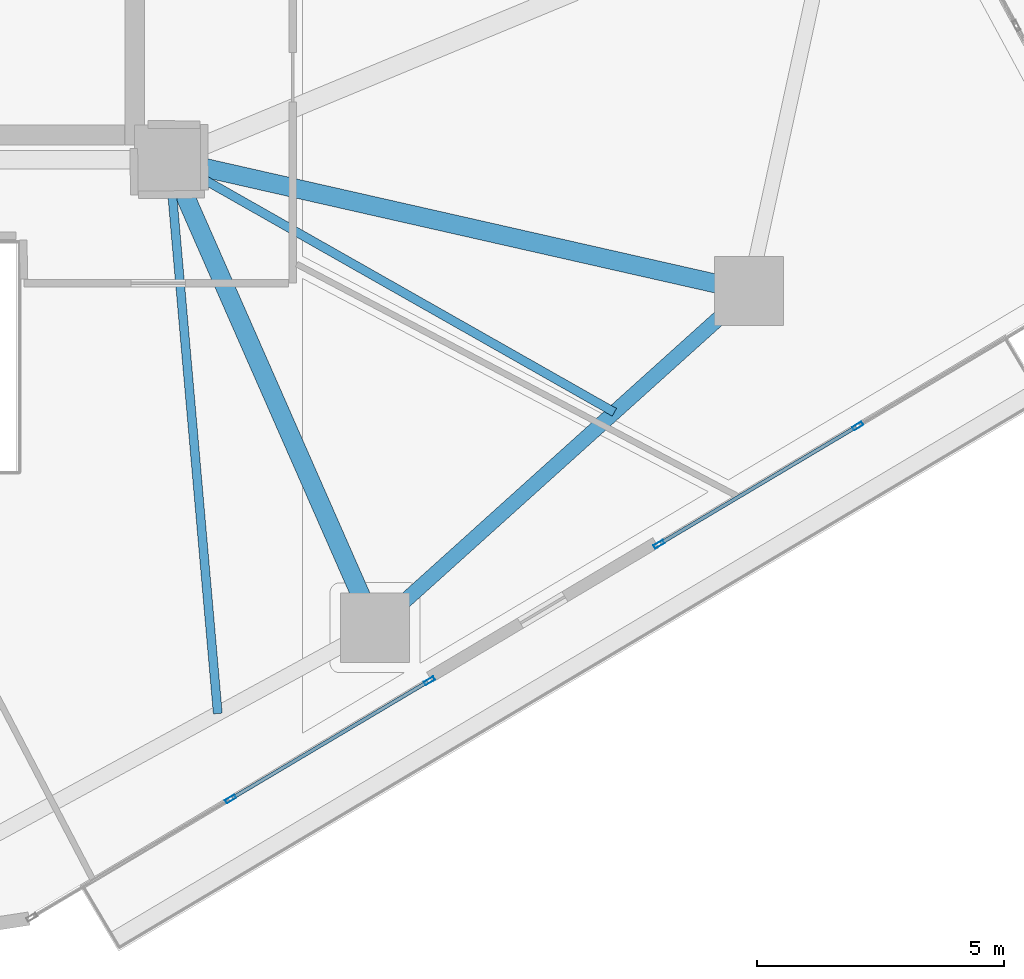
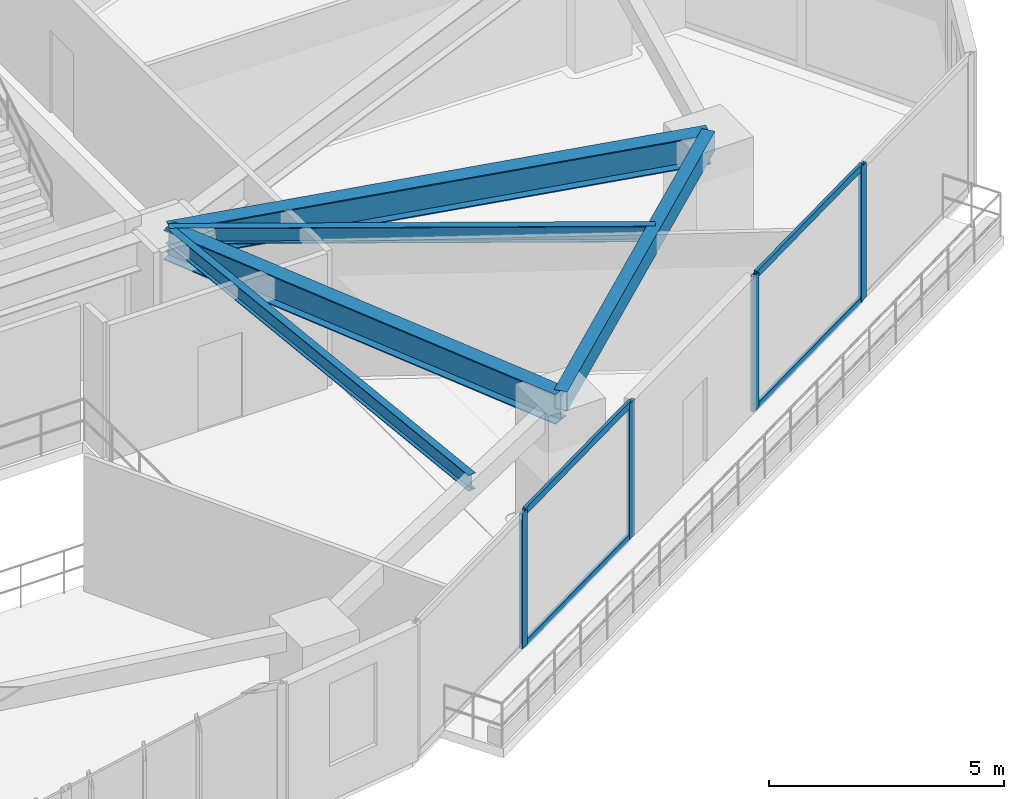
# One storey, part 9 of 23: 8 members, 5 beams, 2 elements without a shape of their own.
"""IFC4 building model written with IfcOpenShell, lengths in metres."""

from ifc_helpers import new_model, si_unit, direction, frame, origin, origin_2d, place, context, subcontext, project, spatial, hollow_rectangle, i_section, extrude, source, transform, mapped, material, layer, layer_set, material_profile, profile_set, type_object, type_shapes, element, aggregate, save


model = new_model("IFC4")

# Units and contexts
model_context = context("Model", 3, precision=1e-05, world=origin(), true_north=direction((0.0, 1.0)))
body_context = subcontext(model_context, "Body", "Model", "MODEL_VIEW")
ifc_project = project(units=[si_unit("LENGTHUNIT", "METRE"), si_unit("AREAUNIT", "SQUARE_METRE"), si_unit("VOLUMEUNIT", "CUBIC_METRE"), si_unit("PLANEANGLEUNIT", "RADIAN"), si_unit("MASSUNIT", "GRAM", prefix="KILO")], contexts=[model_context])

# Site, building, storey
site_placement = place(None, origin())
site = spatial("IfcSite", under=ifc_project, at=site_placement, CompositionType="ELEMENT")
building_placement = place(site_placement, origin())
building = spatial("IfcBuilding", under=site, at=building_placement, Name="Talar Marvaseh", CompositionType="ELEMENT")
storey_placement = place(building_placement, frame((0.0, 0.0, 50.60009765625)))
storey = spatial("IfcBuildingStorey", under=building, at=storey_placement, Name="L12", CompositionType="ELEMENT", Elevation=50.60009765625)

# Beams
ifc_material_1 = material(Name="Steel S355", Category="steel")
ifc_material_profile_1 = material_profile(ifc_material_1, hollow_rectangle(XDim=0.300048828125, YDim=0.5, WallThickness=0.02001953125, at=origin_2d()), Name="RHS500x300x20")
ifc_profile_set_1 = profile_set([ifc_material_profile_1], Name="Steel S355")
beam_type_1 = type_object("IfcBeamType", Name="Zone 1 Perimeter Spandrel Beam RHS500x300x20", PredefinedType="SPANDREL", material=ifc_profile_set_1)
beam_1_placement = place(storey_placement, frame((45.0439453125, 22.840087890625, 3.27001953125), z_axis=(-0.743257224494, -0.669005753516, 0.0), x_axis=(0.669005753516, -0.743257224494, 0.0)))
element("IfcBeam", 1, at=beam_1_placement, inside=storey, type_object=beam_type_1, Name="L12 Zone 1 Perimeter Spandrel Beam RHS500x300x20", PredefinedType="SPANDREL", context=body_context, shape_type="SweptSolid", body=[
    extrude(hollow_rectangle(XDim=0.300048828125, YDim=0.5, WallThickness=0.02001953125, at=origin_2d()), origin(), (0.0, 0.0, 1.0), 10.19287109375),
])
ifc_material_profile_2 = material_profile(ifc_material_1, i_section(OverallWidth=0.381103515625, OverallDepth=0.77294921875, WebThickness=0.0166015625, FlangeThickness=0.027099609375, at=origin_2d()), Name="W760x257")
ifc_profile_set_2 = profile_set([ifc_material_profile_2], Name="Steel S355")
beam_type_2 = type_object("IfcBeamType", Name="Zone 1 Radial Floor Girder W760x257", PredefinedType="BEAM", material=ifc_profile_set_2)
beam_2_placement = place(storey_placement, frame((45.0439453125, 22.840087890625, 3.13330078125), z_axis=(-0.975296900374, 0.220898067263, 0.0), x_axis=(-0.220898067263, -0.975296900374, 0.0)))
element("IfcBeam", 2, at=beam_2_placement, inside=storey, type_object=beam_type_2, Name="L12 Zone 1 Radial Floor Girder W760x257", PredefinedType="BEAM", context=body_context, shape_type="SweptSolid", body=[
    extrude(i_section(OverallWidth=0.381103515625, OverallDepth=0.77294921875, WebThickness=0.0166015625, FlangeThickness=0.027099609375, at=origin_2d()), origin(), (0.0, 0.0, 1.0), 12.041259765625),
])
beam_3_placement = place(storey_placement, frame((37.468017578125, 16.02099609375, 3.13330078125), z_axis=(-0.402512625991, 0.915414433969, 0.0), x_axis=(-0.915414433969, -0.402512625991, 0.0)))
element("IfcBeam", 3, at=beam_3_placement, inside=storey, type_object=beam_type_2, Name="L12 Zone 1 Radial Floor Girder W760x257", PredefinedType="BEAM", context=body_context, shape_type="SweptSolid", body=[
    extrude(i_section(OverallWidth=0.381103515625, OverallDepth=0.77294921875, WebThickness=0.0166015625, FlangeThickness=0.027099609375, at=origin_2d()), origin(), (0.0, 0.0, 1.0), 10.35498046875),
])
ifc_material_profile_3 = material_profile(ifc_material_1, i_section(OverallWidth=0.179931640625, OverallDepth=0.4130859375, WebThickness=0.009765625, FlangeThickness=0.01611328125, at=origin_2d()), Name="W410x75")
ifc_profile_set_3 = profile_set([ifc_material_profile_3], Name="Steel S355")
beam_type_3 = type_object("IfcBeamType", Name="Zone 1 Secondary Floor Joist W410x75", PredefinedType="JOIST", material=ifc_profile_set_3)
beam_4_placement = place(storey_placement, frame((42.316650390625, 20.38525390625, 3.3134765625), z_axis=(-0.869801202402, 0.493402339172, 0.0), x_axis=(-0.493402339172, -0.869801202402, 0.0)))
element("IfcBeam", 4, at=beam_4_placement, inside=storey, type_object=beam_type_3, Name="L12 Zone 1 Secondary Floor Joist W410x75", PredefinedType="JOIST", context=body_context, shape_type="SweptSolid", body=[
    extrude(i_section(OverallWidth=0.179931640625, OverallDepth=0.4130859375, WebThickness=0.009765625, FlangeThickness=0.01611328125, at=origin_2d()), origin(), (0.0, 0.0, 1.0), 10.3662109375),
])
beam_5_placement = place(storey_placement, frame((34.284423828125, 14.28369140625, 3.3134765625), z_axis=(-0.08742678295, 0.996170947992, 0.0), x_axis=(-0.996170947992, -0.08742678295, 0.0)))
element("IfcBeam", 5, at=beam_5_placement, inside=storey, type_object=beam_type_3, Name="L12 Zone 1 Secondary Floor Joist W410x75", PredefinedType="JOIST", context=body_context, shape_type="SweptSolid", body=[
    extrude(i_section(OverallWidth=0.179931640625, OverallDepth=0.4130859375, WebThickness=0.009765625, FlangeThickness=0.01611328125, at=origin_2d()), origin(), (0.0, 0.0, 1.0), 11.259521484375),
])

# Curtain wall, members
ifc_material_2 = material(Name="Architectural Aluminium", Category="aluminium")
ifc_layer = layer(ifc_material_2, 0.219970703125)
ifc_layer_set = layer_set([ifc_layer], Name="Architectural Aluminium")
curtain_wall_type = type_object("IfcCurtainWallType", Name="Unitised Low-E Museum Curtain Wall Z1", PredefinedType="NOTDEFINED", material=ifc_layer_set)
curtain_wall_1_placement = place(storey_placement, origin())
curtain_wall_1 = element("IfcCurtainWall", 6, at=curtain_wall_1_placement, inside=storey, type_object=curtain_wall_type, Name="L12 Unitised Low-E Museum Curtain Wall Z1", PredefinedType="NOTDEFINED")
ifc_material_profile_4 = material_profile(ifc_material_2, hollow_rectangle(XDim=0.080078125, YDim=0.219970703125, WallThickness=0.0048828125, at=origin_2d()), Name="RHS220x80x5")
ifc_profile_set_4 = profile_set([ifc_material_profile_4], Name="Architectural Aluminium")
member_type_1 = type_object("IfcMemberType", Name="Unitised Curtain Wall Heavy Mullion RHS220x80x5", PredefinedType="MULLION", material=ifc_profile_set_4)
shared_shape_1 = source(origin(), body_context, "Body", "SweptSolid", [
    extrude(hollow_rectangle(XDim=0.080078125, YDim=0.219970703125, WallThickness=0.0048828125, at=origin_2d()), origin(), (0.0, 0.0, 1.0), 3.52001953125),
])
type_shapes(member_type_1, [shared_shape_1])
member_1_placement = place(storey_placement, frame((47.245849609375, 20.107421875, 0.0), z_axis=(0.0, 0.0, 1.0), x_axis=(0.511154851955, -0.859488637111, 0.0)))
member_1 = element("IfcMember", 7, at=member_1_placement, type_object=member_type_1, Name="CW-Z1 mullion 2", PredefinedType="MULLION", context=body_context, shape_type="MappedRepresentation", body=[
    mapped(shared_shape_1, transform((0.0, 0.0, 0.0), x_axis=(1.0, 0.0, 0.0), y_axis=(0.0, 1.0, 0.0), z_axis=(0.0, 0.0, 1.0), scale=1.0)),
])
member_2_placement = place(storey_placement, frame((43.219970703125, 17.712890625, 0.0), z_axis=(0.0, 0.0, 1.0), x_axis=(0.511154851955, -0.859488637111, 0.0)))
member_2 = element("IfcMember", 8, at=member_2_placement, type_object=member_type_1, Name="CW-Z1 mullion 3", PredefinedType="MULLION", context=body_context, shape_type="MappedRepresentation", body=[
    mapped(shared_shape_1, transform((0.0, 0.0, 0.0), x_axis=(1.0, 0.0, 0.0), y_axis=(0.0, 1.0, 0.0), z_axis=(0.0, 0.0, 1.0), scale=1.0)),
])

curtain_wall_2_placement = place(storey_placement, origin())
curtain_wall_2 = element("IfcCurtainWall", 9, at=curtain_wall_2_placement, inside=storey, type_object=curtain_wall_type, Name="L12 Unitised Low-E Museum Curtain Wall Z1", PredefinedType="NOTDEFINED")
member_3_placement = place(storey_placement, frame((38.5703125, 14.947509765625, 0.0), z_axis=(0.0, 0.0, 1.0), x_axis=(0.511154851955, -0.859488637111, 0.0)))
member_3 = element("IfcMember", 10, at=member_3_placement, type_object=member_type_1, Name="CW-Z1 mullion 1", PredefinedType="MULLION", context=body_context, shape_type="MappedRepresentation", body=[
    mapped(shared_shape_1, transform((0.0, 0.0, 0.0), x_axis=(1.0, 0.0, 0.0), y_axis=(0.0, 1.0, 0.0), z_axis=(0.0, 0.0, 1.0), scale=1.0)),
])
member_4_placement = place(storey_placement, frame((34.544189453125, 12.55322265625, 0.0), z_axis=(0.0, 0.0, 1.0), x_axis=(0.511154851955, -0.859488637111, 0.0)))
member_4 = element("IfcMember", 11, at=member_4_placement, type_object=member_type_1, Name="CW-Z1 mullion 2", PredefinedType="MULLION", context=body_context, shape_type="MappedRepresentation", body=[
    mapped(shared_shape_1, transform((0.0, 0.0, 0.0), x_axis=(1.0, 0.0, 0.0), y_axis=(0.0, 1.0, 0.0), z_axis=(0.0, 0.0, 1.0), scale=1.0)),
])

# Member
ifc_material_profile_5 = material_profile(ifc_material_2, hollow_rectangle(XDim=0.074951171875, YDim=0.179931640625, WallThickness=0.0048828125, at=origin_2d()), Name="RHS180x75x5")
ifc_profile_set_5 = profile_set([ifc_material_profile_5], Name="Architectural Aluminium")
member_type_2 = type_object("IfcMemberType", Name="Unitised Curtain Wall Transom RHS180x75x5", PredefinedType="USERDEFINED", material=ifc_profile_set_5)
shared_shape_2 = source(origin(), body_context, "Body", "SweptSolid", [
    extrude(hollow_rectangle(XDim=0.074951171875, YDim=0.179931640625, WallThickness=0.0048828125, at=origin_2d()), origin(), (0.0, 0.0, 1.0), 4.604248046875),
])
member_5_placement = place(storey_placement, frame((47.21142578125, 20.0869140625, 0.037353515625), z_axis=(-0.859484260686, -0.511162210686, 0.0), x_axis=(0.511162210686, -0.859484260686, 0.0)))
member_5 = element("IfcMember", 12, at=member_5_placement, type_object=member_type_2, Name="CW-Z1 transom 2.1", ObjectType="TRANSOM", PredefinedType="USERDEFINED", context=body_context, shape_type="MappedRepresentation", body=[
    mapped(shared_shape_2, transform((0.0, 0.0, 0.0), x_axis=(1.0, 0.0, 0.0), y_axis=(0.0, 1.0, 0.0), z_axis=(0.0, 0.0, 1.0), scale=1.0)),
])

member_6_placement = place(storey_placement, frame((47.21142578125, 20.0869140625, 3.482421875), z_axis=(-0.859484260686, -0.511162210686, 0.0), x_axis=(0.511162210686, -0.859484260686, 0.0)))
member_6 = element("IfcMember", 13, at=member_6_placement, type_object=member_type_2, Name="CW-Z1 transom 2.2", ObjectType="TRANSOM", PredefinedType="USERDEFINED", context=body_context, shape_type="MappedRepresentation", body=[
    mapped(shared_shape_2, transform((0.0, 0.0, 0.0), x_axis=(1.0, 0.0, 0.0), y_axis=(0.0, 1.0, 0.0), z_axis=(0.0, 0.0, 1.0), scale=1.0)),
])

aggregate(curtain_wall_1, [member_1, member_2, member_5, member_6])

shared_shape_3 = source(origin(), body_context, "Body", "SweptSolid", [
    extrude(hollow_rectangle(XDim=0.074951171875, YDim=0.179931640625, WallThickness=0.0048828125, at=origin_2d()), origin(), (0.0, 0.0, 1.0), 4.60400390625),
])
type_shapes(member_type_2, [shared_shape_2, shared_shape_3])
member_7_placement = place(storey_placement, frame((38.535888671875, 14.927001953125, 0.037353515625), z_axis=(-0.859507556264, -0.511123038734, 0.0), x_axis=(0.511123038734, -0.859507556264, 0.0)))
member_7 = element("IfcMember", 14, at=member_7_placement, type_object=member_type_2, Name="CW-Z1 transom 1.1", ObjectType="TRANSOM", PredefinedType="USERDEFINED", context=body_context, shape_type="MappedRepresentation", body=[
    mapped(shared_shape_3, transform((0.0, 0.0, 0.0), x_axis=(1.0, 0.0, 0.0), y_axis=(0.0, 1.0, 0.0), z_axis=(0.0, 0.0, 1.0), scale=1.0)),
])

member_8_placement = place(storey_placement, frame((38.535888671875, 14.927001953125, 3.482421875), z_axis=(-0.859507556264, -0.511123038734, 0.0), x_axis=(0.511123038734, -0.859507556264, 0.0)))
member_8 = element("IfcMember", 15, at=member_8_placement, type_object=member_type_2, Name="CW-Z1 transom 1.2", ObjectType="TRANSOM", PredefinedType="USERDEFINED", context=body_context, shape_type="MappedRepresentation", body=[
    mapped(shared_shape_3, transform((0.0, 0.0, 0.0), x_axis=(1.0, 0.0, 0.0), y_axis=(0.0, 1.0, 0.0), z_axis=(0.0, 0.0, 1.0), scale=1.0)),
])

aggregate(curtain_wall_2, [member_3, member_4, member_7, member_8])

save(model, "model.ifc")
